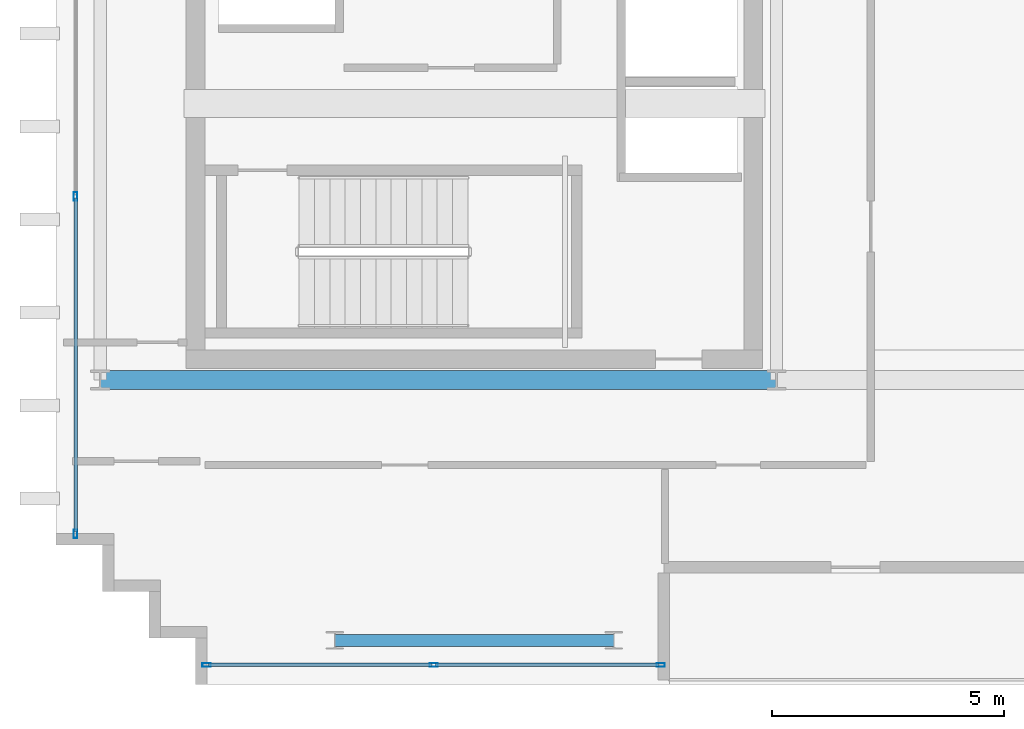
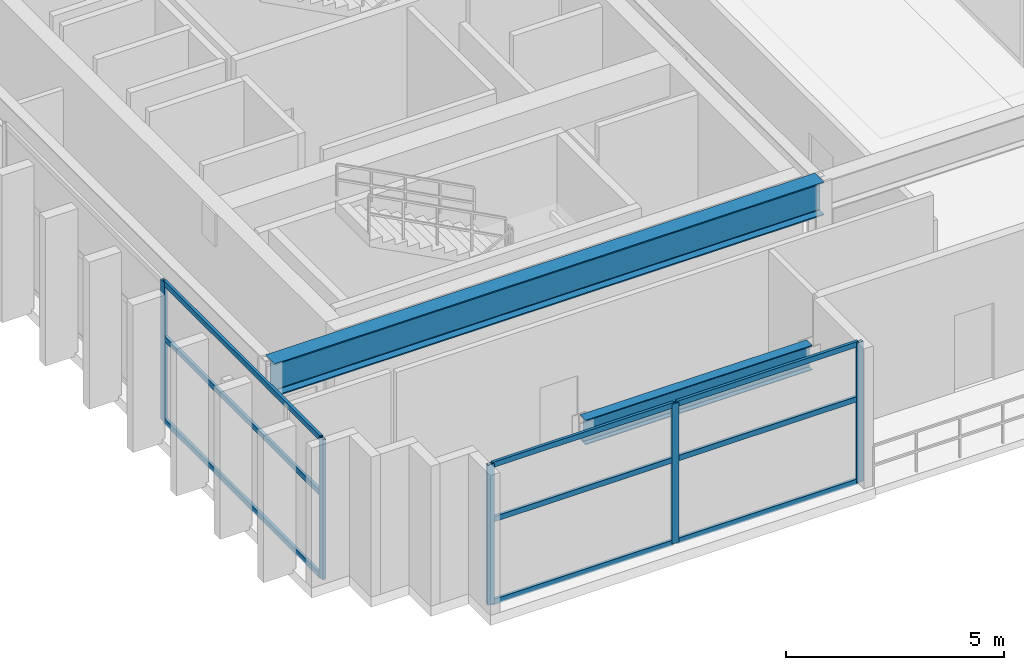
# One storey, part 2 of 14: 14 members, 2 beams, 2 elements without a shape of their own.
"""IFC4 building model written with IfcOpenShell, lengths in metres."""

import ifcopenshell
import ifcopenshell.guid

model = None  # the IFC model being written
_history = None  # IfcOwnerHistory: only IFC2X3 demands one
_inside = {}  # id of a spatial element -> (the spatial element, [elements in it])
_under = {}  # id of a project, library or spatial element -> (it, [spatial elements below it])
_declared = {}  # id of a project -> (the project, [libraries it declares])
_typed = {}  # id of a type object -> (the type object, [elements of that type])
_made_of = {}  # id of a material, layer set ... -> (it, [elements and type objects made of it])


def new_model(schema):
    """Start an empty IFC model of exactly this schema.

    Asked for "IFC4X3", IfcOpenShell would pick the latest addendum, in which some entities
    have other attributes; the version numbers below select the first issue.
    IFC2X3 requires an IfcOwnerHistory on every rooted entity: one is made here for all.
    """
    global model, _history
    if schema == "IFC4X3":
        model = ifcopenshell.file(schema_version=(4, 3, 0, 0))
    else:
        model = ifcopenshell.file(schema=schema)
    _inside.clear()
    _under.clear()
    _declared.clear()
    _typed.clear()
    _made_of.clear()
    _history = None
    if model.schema == "IFC2X3":
        org = make("IfcOrganization", Name="unknown")
        user = make(
            "IfcPersonAndOrganization",
            ThePerson=make("IfcPerson", FamilyName="unknown"),
            TheOrganization=org,
        )
        app = make(
            "IfcApplication",
            ApplicationDeveloper=org,
            Version="unknown",
            ApplicationFullName="unknown",
            ApplicationIdentifier="unknown",
        )
        _history = make(
            "IfcOwnerHistory",
            OwningUser=user,
            OwningApplication=app,
            ChangeAction="ADDED",
            CreationDate=0,
        )
    return model


def make(cls, **values):
    """One entity of the class cls with the attributes given. An attribute that is None is left unset."""
    return model.create_entity(
        cls, **{name: value for name, value in values.items() if value is not None}
    )


def rooted(cls, **values):
    """An entity with a GlobalId (a new one), such as an element, a storey or a relation."""
    return make(cls, GlobalId=ifcopenshell.guid.new(), OwnerHistory=_history, **values)


def si_unit(unit_type, name, prefix=None):
    """IfcSIUnit, for example si_unit("LENGTHUNIT", "METRE", prefix="MILLI")."""
    return make("IfcSIUnit", UnitType=unit_type, Prefix=prefix, Name=name)


def assignment(units):
    """IfcUnitAssignment: the units of a project."""
    return None if units is None else make("IfcUnitAssignment", Units=units)


def point(xyz):
    """IfcCartesianPoint."""
    return None if xyz is None else make("IfcCartesianPoint", Coordinates=xyz)


def direction(xyz):
    """IfcDirection."""
    return None if xyz is None else make("IfcDirection", DirectionRatios=xyz)


def frame(location, z_axis=None, x_axis=None):
    """IfcAxis2Placement3D, a coordinate frame: its origin and axes. An axis left out is left unset."""
    return make(
        "IfcAxis2Placement3D",
        Location=point(location),
        Axis=direction(z_axis),
        RefDirection=direction(x_axis),
    )


def frame_2d(location, x_axis=None):
    """IfcAxis2Placement2D, a coordinate frame in the plane: its origin and x axis."""
    return make(
        "IfcAxis2Placement2D", Location=point(location), RefDirection=direction(x_axis)
    )


def origin():
    """The frame at (0, 0, 0) with its axes left unset."""
    return frame((0.0, 0.0, 0.0))


def origin_2d():
    """The frame at (0, 0) in the plane with its x axis left unset."""
    return frame_2d((0.0, 0.0))


def place(relative_to, where):
    """IfcLocalPlacement: puts the frame where relative to a parent placement (None: the world)."""
    return make(
        "IfcLocalPlacement", PlacementRelTo=relative_to, RelativePlacement=where
    )


def context(
    kind, dimensions, precision=None, world=None, true_north=None, identifier=None
):
    """IfcGeometricRepresentationContext, for example the 3D "Model" context."""
    return make(
        "IfcGeometricRepresentationContext",
        ContextIdentifier=identifier,
        ContextType=kind,
        CoordinateSpaceDimension=dimensions,
        Precision=precision,
        WorldCoordinateSystem=world,
        TrueNorth=true_north,
    )


def subcontext(parent, identifier, kind, view, scale=None):
    """IfcGeometricRepresentationSubContext, for example "Body" below "Model"."""
    return make(
        "IfcGeometricRepresentationSubContext",
        ContextIdentifier=identifier,
        ContextType=kind,
        ParentContext=parent,
        TargetScale=scale,
        TargetView=view,
    )


def project(units=None, contexts=None):
    """IfcProject with its units and contexts."""
    return rooted(
        "IfcProject",
        Name="project",
        RepresentationContexts=contexts,
        UnitsInContext=assignment(units),
    )


def spatial(cls, under=None, at=None, **own):
    """A site, building, storey or space (cls), placed at a placement, below another one or the project."""
    s = rooted(cls, ObjectPlacement=at, **own)
    if under is not None:
        _under.setdefault(under.id(), (under, []))[1].append(s)
    return s


def profile(cls, at=None, kind="AREA", **sizes):
    """A parametric profile (cls). Its sizes go by their IFC names, for example OverallWidth=200.0."""
    return make(cls, ProfileType=kind, Position=at, **sizes)


def hollow_rectangle(**sizes):
    """IfcRectangleHollowProfileDef."""
    return profile("IfcRectangleHollowProfileDef", **sizes)


def i_section(**sizes):
    """IfcIShapeProfileDef."""
    return profile("IfcIShapeProfileDef", **sizes)


def extrude(swept, where, along, depth):
    """IfcExtrudedAreaSolid: the profile swept, set in the frame where, extruded along a direction by depth."""
    return make(
        "IfcExtrudedAreaSolid",
        SweptArea=swept,
        Position=where,
        ExtrudedDirection=direction(along),
        Depth=depth,
    )


def shape(context_of_items, identifier, shape_type, items):
    """IfcShapeRepresentation: the items that make up one representation, for example the "Body"."""
    return make(
        "IfcShapeRepresentation",
        ContextOfItems=context_of_items,
        RepresentationIdentifier=identifier,
        RepresentationType=shape_type,
        Items=items,
    )


def source(mapping_origin, context_of_items, identifier, shape_type, items):
    """IfcRepresentationMap: a shape defined once, which mapped items show again and again."""
    return make(
        "IfcRepresentationMap",
        MappingOrigin=mapping_origin,
        MappedRepresentation=shape(context_of_items, identifier, shape_type, items),
    )


def transform(
    local_origin,
    x_axis=None,
    y_axis=None,
    z_axis=None,
    scale=None,
    scale2=None,
    scale3=None,
    uniform=True,
):
    """IfcCartesianTransformationOperator3D, or its non-uniform kind. x_axis, y_axis, z_axis: its Axis1, 2, 3."""
    if uniform:
        return make(
            "IfcCartesianTransformationOperator3D",
            Axis1=direction(x_axis),
            Axis2=direction(y_axis),
            LocalOrigin=point(local_origin),
            Scale=scale,
            Axis3=direction(z_axis),
        )
    return make(
        "IfcCartesianTransformationOperator3DnonUniform",
        Axis1=direction(x_axis),
        Axis2=direction(y_axis),
        LocalOrigin=point(local_origin),
        Scale=scale,
        Axis3=direction(z_axis),
        Scale2=scale2,
        Scale3=scale3,
    )


def mapped(mapping_source, mapping_target):
    """IfcMappedItem: shows the shape of a source again, moved by a transform."""
    return make(
        "IfcMappedItem", MappingSource=mapping_source, MappingTarget=mapping_target
    )


def material(Name=None, Category=None):
    """IfcMaterial."""
    return make("IfcMaterial", Name=Name, Category=Category)


def layer(
    of_material, thickness, ventilated=None, Name=None, Category=None, Priority=None
):
    """IfcMaterialLayer: one layer of a wall or slab, of a material (None: an air gap)."""
    return make(
        "IfcMaterialLayer",
        Material=of_material,
        LayerThickness=thickness,
        IsVentilated=ventilated,
        Name=Name,
        Category=Category,
        Priority=Priority,
    )


def layer_set(layers, Name=None):
    """IfcMaterialLayerSet."""
    return make("IfcMaterialLayerSet", MaterialLayers=layers, LayerSetName=Name)


def material_profile(
    of_material, cross_section, Name=None, Category=None, Priority=None
):
    """IfcMaterialProfile: a cross section and its material."""
    return make(
        "IfcMaterialProfile",
        Name=Name,
        Material=of_material,
        Profile=cross_section,
        Priority=Priority,
        Category=Category,
    )


def profile_set(profiles, Name=None, composite=None):
    """IfcMaterialProfileSet."""
    return make(
        "IfcMaterialProfileSet",
        Name=Name,
        MaterialProfiles=profiles,
        CompositeProfile=composite,
    )


def made_of(thing, what):
    """Note that an element or type object is made of a material, layer set ...; save() writes the relation."""
    if what is not None:
        _made_of.setdefault(what.id(), (what, []))[1].append(thing)
    return thing


def type_object(cls, material=None, **own):
    """A type object (cls), such as IfcWallType, which elements share."""
    return made_of(rooted(cls, **own), material)


def element(
    cls,
    number,
    at=None,
    inside=None,
    cuts=None,
    type_object=None,
    material=None,
    context=None,
    identifier="Body",
    shape_type=None,
    held_by="IfcProductDefinitionShape",
    body=None,
    shapes=None,
    **own,
):
    """One element of the class cls, such as IfcWall. Its Tag is "e" and its number.

    at: its placement. inside: the storey or other place that contains it. cuts: it is an
    opening in that element (IfcRelVoidsElement). A single representation is given by context,
    identifier, shape_type and body (its items); several are given by shapes. held_by: the class
    of the entity that holds the representations. save() writes the other relations.
    """
    e = rooted(cls, Tag="e%d" % number, ObjectPlacement=at, **own)
    if body is not None:
        shapes = [shape(context, identifier, shape_type, body)]
    if shapes is not None:
        e.Representation = make(held_by, Representations=shapes)
    if inside is not None:
        _inside.setdefault(inside.id(), (inside, []))[1].append(e)
    if cuts is not None:
        rooted(
            "IfcRelVoidsElement", RelatingBuildingElement=cuts, RelatedOpeningElement=e
        )
    if type_object is not None:
        _typed.setdefault(type_object.id(), (type_object, []))[1].append(e)
    return made_of(e, material)


def aggregate(whole, parts):
    """IfcRelAggregates: a whole, such as a stair, and the parts it consists of."""
    return rooted("IfcRelAggregates", RelatingObject=whole, RelatedObjects=parts)


def save(model, path):
    """Write the relations noted so far, then the file.

    IfcRelAggregates (storeys below a building ...), IfcRelContainedInSpatialStructure (elements
    in a storey), IfcRelDefinesByType, IfcRelAssociatesMaterial and IfcRelDeclares: one each for
    every whole, place, type object, material and project.
    """
    for whole, parts in _under.values():
        aggregate(whole, parts)
    for where, things in _inside.values():
        rooted(
            "IfcRelContainedInSpatialStructure",
            RelatedElements=things,
            RelatingStructure=where,
        )
    for kind, things in _typed.values():
        rooted("IfcRelDefinesByType", RelatedObjects=things, RelatingType=kind)
    for what, things in _made_of.values():
        rooted("IfcRelAssociatesMaterial", RelatedObjects=things, RelatingMaterial=what)
    for by, libraries in _declared.values():
        rooted("IfcRelDeclares", RelatingContext=by, RelatedDefinitions=libraries)
    model.write(path)


model = new_model("IFC4")

# Units and contexts
model_context = context("Model", 3, precision=1e-05, world=origin(), true_north=direction((0.0, 1.0)))
body_context = subcontext(model_context, "Body", "Model", "MODEL_VIEW")
ifc_project = project(units=[si_unit("LENGTHUNIT", "METRE"), si_unit("AREAUNIT", "SQUARE_METRE"), si_unit("VOLUMEUNIT", "CUBIC_METRE"), si_unit("PLANEANGLEUNIT", "RADIAN"), si_unit("MASSUNIT", "GRAM", prefix="KILO")], contexts=[model_context])

# Site, building, storey
site_placement = place(None, origin())
site = spatial("IfcSite", under=ifc_project, at=site_placement, CompositionType="ELEMENT")
building_placement = place(site_placement, origin())
building = spatial("IfcBuilding", under=site, at=building_placement, Name="Ocotamira Hotel", CompositionType="ELEMENT")
storey_placement = place(building_placement, frame((0.0, 0.0, 301.199951171875)))
storey = spatial("IfcBuildingStorey", under=building, at=storey_placement, Name="L77", CompositionType="ELEMENT", Elevation=301.199951171875)

# Beams
ifc_material_1 = material(Name="Steel ASTM A992 Grade 50", Category="steel")
ifc_material_profile_1 = material_profile(ifc_material_1, i_section(OverallWidth=0.41796875, OverallDepth=0.927001953125, WebThickness=0.019287109375, FlangeThickness=0.031982421875, FilletRadius=0.02392578125, at=origin_2d()), Name="W36X231")
ifc_profile_set_1 = profile_set([ifc_material_profile_1], Name="Steel ASTM A992 Grade 50")
beam_type_1 = type_object("IfcBeamType", Name="BM-GIRD-W36X231", PredefinedType="BEAM", material=ifc_profile_set_1)
shared_shape_1 = source(origin(), body_context, "Body", "SweptSolid", [
    extrude(i_section(OverallWidth=0.41796875, OverallDepth=0.927001953125, WebThickness=0.019287109375, FlangeThickness=0.031982421875, FilletRadius=0.02392578125, at=origin_2d()), origin(), (0.0, 0.0, 1.0), 14.550048828125),
])
beam_1_placement = place(storey_placement, frame((8.949951171875, 14.550048828125, 3.45654296875), z_axis=(1.0, 0.0, 0.0), x_axis=(0.0, 1.0, 0.0)))
element("IfcBeam", 1, at=beam_1_placement, inside=storey, type_object=beam_type_1, Name="L77 Girder Y14.55 X8.95-23.5", PredefinedType="BEAM", context=body_context, shape_type="MappedRepresentation", body=[
    mapped(shared_shape_1, transform((0.0, 0.0, 0.0), scale=1.0)),
])
ifc_material_profile_2 = material_profile(ifc_material_1, i_section(OverallWidth=0.256103515625, OverallDepth=0.693115234375, WebThickness=0.014404296875, FlangeThickness=0.023681640625, FilletRadius=0.01611328125, at=origin_2d()), Name="W27X114")
ifc_profile_set_2 = profile_set([ifc_material_profile_2], Name="Steel ASTM A992 Grade 50")
beam_type_2 = type_object("IfcBeamType", Name="BM-PRIM-W27X114", PredefinedType="BEAM", material=ifc_profile_set_2)
shared_shape_2 = source(origin(), body_context, "Body", "SweptSolid", [
    extrude(i_section(OverallWidth=0.256103515625, OverallDepth=0.693115234375, WebThickness=0.014404296875, FlangeThickness=0.023681640625, FilletRadius=0.01611328125, at=origin_2d()), origin(), (0.0, 0.0, 1.0), 6.0),
])
beam_2_placement = place(storey_placement, frame((14.0, 8.949951171875, 3.573486328125), z_axis=(1.0, 0.0, 0.0), x_axis=(0.0, 1.0, 0.0)))
element("IfcBeam", 2, at=beam_2_placement, inside=storey, type_object=beam_type_2, Name="L77 Girder Y8.95 X14-20", PredefinedType="BEAM", context=body_context, shape_type="MappedRepresentation", body=[
    mapped(shared_shape_2, transform((0.0, 0.0, 0.0), scale=1.0)),
])

# Curtain wall, members
ifc_material_2 = material(Name="Anodised pale-metal aluminium and solar glass", Category="aluminium")
ifc_layer = layer(ifc_material_2, 0.2099609375)
ifc_layer_set = layer_set([ifc_layer], Name="Anodised pale-metal aluminium and solar glass")
curtain_wall_type = type_object("IfcCurtainWallType", Name="CW-SYS7-PEAK", PredefinedType="NOTDEFINED", material=ifc_layer_set)
curtain_wall_1_placement = place(storey_placement, origin())
curtain_wall_1 = element("IfcCurtainWall", 3, at=curtain_wall_1_placement, inside=storey, type_object=curtain_wall_type, Name="L77 Curtain Wall CW-7 CW-L77-W1", PredefinedType="NOTDEFINED")
ifc_material_3 = material(Name="Anodised pale-metal aluminium 6063-T6", Category="aluminium")
ifc_material_profile_3 = material_profile(ifc_material_3, hollow_rectangle(XDim=0.074951171875, YDim=0.14990234375, WallThickness=0.006103515625, at=origin_2d()), Name="HSS150X75X6")
ifc_profile_set_3 = profile_set([ifc_material_profile_3], Name="Anodised pale-metal aluminium 6063-T6")
member_type_1 = type_object("IfcMemberType", Name="CWT-150X75", PredefinedType="USERDEFINED", material=ifc_profile_set_3)
shared_shape_3 = source(origin(), body_context, "Body", "SweptSolid", [
    extrude(hollow_rectangle(XDim=0.074951171875, YDim=0.14990234375, WallThickness=0.006103515625, at=origin_2d()), origin(), (0.0, 0.0, 1.0), 7.179931640625),
])
member_1_placement = place(storey_placement, frame((8.419921875, 11.280029296875, 0.03759765625), z_axis=(0.0, 1.0, 0.0), x_axis=(-1.0, 0.0, 0.0)))
member_1 = element("IfcMember", 4, at=member_1_placement, type_object=member_type_1, Name="CW-7 transom 1.1", ObjectType="TRANSOM", PredefinedType="USERDEFINED", context=body_context, shape_type="MappedRepresentation", body=[
    mapped(shared_shape_3, transform((0.0, 0.0, 0.0), scale=1.0)),
])
member_2_placement = place(storey_placement, frame((8.419921875, 11.280029296875, 2.35009765625), z_axis=(0.0, 1.0, 0.0), x_axis=(-1.0, 0.0, 0.0)))
member_2 = element("IfcMember", 5, at=member_2_placement, type_object=member_type_1, Name="CW-7 transom 1.2", ObjectType="TRANSOM", PredefinedType="USERDEFINED", context=body_context, shape_type="MappedRepresentation", body=[
    mapped(shared_shape_3, transform((0.0, 0.0, 0.0), scale=1.0)),
])
member_3_placement = place(storey_placement, frame((8.419921875, 11.280029296875, 3.882568359375), z_axis=(0.0, 1.0, 0.0), x_axis=(-1.0, 0.0, 0.0)))
member_3 = element("IfcMember", 6, at=member_3_placement, type_object=member_type_1, Name="CW-7 transom 1.3", ObjectType="TRANSOM", PredefinedType="USERDEFINED", context=body_context, shape_type="MappedRepresentation", body=[
    mapped(shared_shape_3, transform((0.0, 0.0, 0.0), scale=1.0)),
])

curtain_wall_2_placement = place(storey_placement, origin())
curtain_wall_2 = element("IfcCurtainWall", 7, at=curtain_wall_2_placement, inside=storey, type_object=curtain_wall_type, Name="L77 Curtain Wall CW-7 CW-L77-S1", PredefinedType="NOTDEFINED")
ifc_material_profile_4 = material_profile(ifc_material_3, hollow_rectangle(XDim=0.080078125, YDim=0.179931640625, WallThickness=0.006103515625, at=origin_2d()), Name="HSS180X80X6")
ifc_profile_set_4 = profile_set([ifc_material_profile_4], Name="Anodised pale-metal aluminium 6063-T6")
member_type_2 = type_object("IfcMemberType", Name="CWM-180X75", PredefinedType="MULLION", material=ifc_profile_set_4)
shared_shape_4 = source(origin(), body_context, "Body", "SweptSolid", [
    extrude(hollow_rectangle(XDim=0.080078125, YDim=0.179931640625, WallThickness=0.006103515625, at=origin_2d()), origin(), (0.0, 0.0, 1.0), 3.920166015625),
])
member_4_placement = place(storey_placement, frame((11.239990234375, 8.419921875, 0.0), z_axis=(0.0, 0.0, 1.0), x_axis=(0.0, 1.0, 0.0)))
member_4 = element("IfcMember", 8, at=member_4_placement, type_object=member_type_2, Name="CW-7 mullion 1", PredefinedType="MULLION", context=body_context, shape_type="MappedRepresentation", body=[
    mapped(shared_shape_4, transform((0.0, 0.0, 0.0), scale=1.0)),
])
member_5_placement = place(storey_placement, frame((16.125, 8.419921875, 0.0), z_axis=(0.0, 0.0, 1.0), x_axis=(0.0, 1.0, 0.0)))
member_5 = element("IfcMember", 9, at=member_5_placement, type_object=member_type_2, Name="CW-7 mullion 2", PredefinedType="MULLION", context=body_context, shape_type="MappedRepresentation", body=[
    mapped(shared_shape_4, transform((0.0, 0.0, 0.0), scale=1.0)),
])
member_6_placement = place(storey_placement, frame((21.010009765625, 8.419921875, 0.0), z_axis=(0.0, 0.0, 1.0), x_axis=(0.0, 1.0, 0.0)))
member_6 = element("IfcMember", 10, at=member_6_placement, type_object=member_type_2, Name="CW-7 mullion 3", PredefinedType="MULLION", context=body_context, shape_type="MappedRepresentation", body=[
    mapped(shared_shape_4, transform((0.0, 0.0, 0.0), scale=1.0)),
])

# Member
member_7_placement = place(storey_placement, frame((8.419921875, 11.239990234375, 0.0), z_axis=(0.0, 0.0, 1.0), x_axis=(-1.0, 0.0, 0.0)))
member_7 = element("IfcMember", 11, at=member_7_placement, type_object=member_type_2, Name="CW-7 mullion 1", PredefinedType="MULLION", context=body_context, shape_type="MappedRepresentation", body=[
    mapped(shared_shape_4, transform((0.0, 0.0, 0.0), scale=1.0)),
])

member_8_placement = place(storey_placement, frame((8.419921875, 18.5, 0.0), z_axis=(0.0, 0.0, 1.0), x_axis=(-1.0, 0.0, 0.0)))
member_8 = element("IfcMember", 12, at=member_8_placement, type_object=member_type_2, Name="CW-7 mullion 2", PredefinedType="MULLION", context=body_context, shape_type="MappedRepresentation", body=[
    mapped(shared_shape_4, transform((0.0, 0.0, 0.0), scale=1.0)),
])

aggregate(curtain_wall_1, [member_7, member_8, member_1, member_2, member_3])

shared_shape_5 = source(origin(), body_context, "Body", "SweptSolid", [
    extrude(hollow_rectangle(XDim=0.074951171875, YDim=0.14990234375, WallThickness=0.006103515625, at=origin_2d()), origin(), (0.0, 0.0, 1.0), 4.804931640625),
])
member_9_placement = place(storey_placement, frame((11.280029296875, 8.419921875, 0.03759765625), z_axis=(1.0, 0.0, 0.0), x_axis=(0.0, 1.0, 0.0)))
member_9 = element("IfcMember", 13, at=member_9_placement, type_object=member_type_1, Name="CW-7 transom 1.1", ObjectType="TRANSOM", PredefinedType="USERDEFINED", context=body_context, shape_type="MappedRepresentation", body=[
    mapped(shared_shape_5, transform((0.0, 0.0, 0.0), scale=1.0)),
])

member_10_placement = place(storey_placement, frame((11.280029296875, 8.419921875, 2.35009765625), z_axis=(1.0, 0.0, 0.0), x_axis=(0.0, 1.0, 0.0)))
member_10 = element("IfcMember", 14, at=member_10_placement, type_object=member_type_1, Name="CW-7 transom 1.2", ObjectType="TRANSOM", PredefinedType="USERDEFINED", context=body_context, shape_type="MappedRepresentation", body=[
    mapped(shared_shape_5, transform((0.0, 0.0, 0.0), scale=1.0)),
])

member_11_placement = place(storey_placement, frame((11.280029296875, 8.419921875, 3.882568359375), z_axis=(1.0, 0.0, 0.0), x_axis=(0.0, 1.0, 0.0)))
member_11 = element("IfcMember", 15, at=member_11_placement, type_object=member_type_1, Name="CW-7 transom 1.3", ObjectType="TRANSOM", PredefinedType="USERDEFINED", context=body_context, shape_type="MappedRepresentation", body=[
    mapped(shared_shape_5, transform((0.0, 0.0, 0.0), scale=1.0)),
])

member_12_placement = place(storey_placement, frame((16.1650390625, 8.419921875, 0.03759765625), z_axis=(1.0, 0.0, 0.0), x_axis=(0.0, 1.0, 0.0)))
member_12 = element("IfcMember", 16, at=member_12_placement, type_object=member_type_1, Name="CW-7 transom 2.1", ObjectType="TRANSOM", PredefinedType="USERDEFINED", context=body_context, shape_type="MappedRepresentation", body=[
    mapped(shared_shape_5, transform((0.0, 0.0, 0.0), scale=1.0)),
])

member_13_placement = place(storey_placement, frame((16.1650390625, 8.419921875, 2.35009765625), z_axis=(1.0, 0.0, 0.0), x_axis=(0.0, 1.0, 0.0)))
member_13 = element("IfcMember", 17, at=member_13_placement, type_object=member_type_1, Name="CW-7 transom 2.2", ObjectType="TRANSOM", PredefinedType="USERDEFINED", context=body_context, shape_type="MappedRepresentation", body=[
    mapped(shared_shape_5, transform((0.0, 0.0, 0.0), scale=1.0)),
])

member_14_placement = place(storey_placement, frame((16.1650390625, 8.419921875, 3.882568359375), z_axis=(1.0, 0.0, 0.0), x_axis=(0.0, 1.0, 0.0)))
member_14 = element("IfcMember", 18, at=member_14_placement, type_object=member_type_1, Name="CW-7 transom 2.3", ObjectType="TRANSOM", PredefinedType="USERDEFINED", context=body_context, shape_type="MappedRepresentation", body=[
    mapped(shared_shape_5, transform((0.0, 0.0, 0.0), scale=1.0)),
])

aggregate(curtain_wall_2, [member_4, member_5, member_6, member_9, member_10, member_11, member_12, member_13, member_14])

save(model, "model.ifc")
